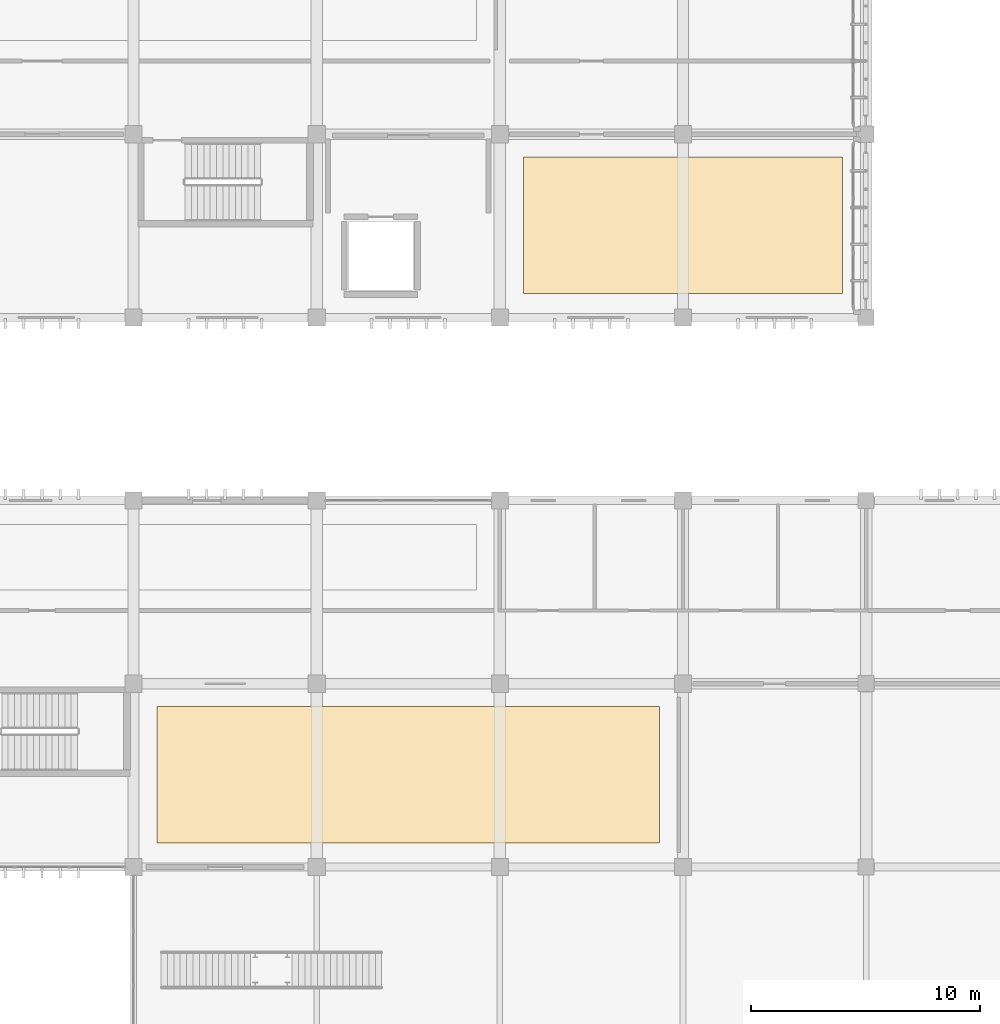
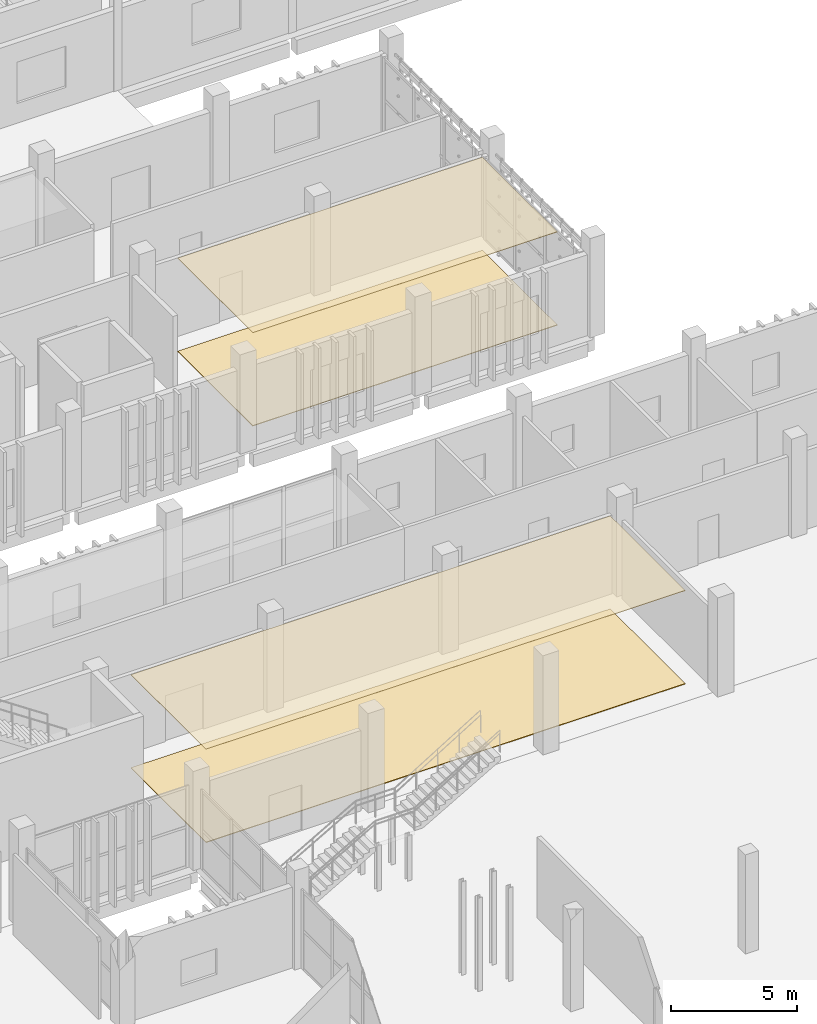
# One storey, part 114 of 117: 4 coverings.
"""IFC4 building model written with IfcOpenShell, lengths in metres."""

from ifc_helpers import new_model, si_unit, direction, frame, origin, place, context, subcontext, project, spatial, polyline, outline, extrude, material, layer, layer_set, type_object, element, save


model = new_model("IFC4")

# Units and contexts
model_context = context("Model", 3, precision=1e-05, world=origin(), true_north=direction((0.0, 1.0)))
body_context = subcontext(model_context, "Body", "Model", "MODEL_VIEW")
ifc_project = project(units=[si_unit("LENGTHUNIT", "METRE"), si_unit("AREAUNIT", "SQUARE_METRE"), si_unit("VOLUMEUNIT", "CUBIC_METRE"), si_unit("PLANEANGLEUNIT", "RADIAN"), si_unit("MASSUNIT", "GRAM", prefix="KILO")], contexts=[model_context])

# Site, building, storey
site_placement = place(None, origin())
site = spatial("IfcSite", under=ifc_project, at=site_placement, CompositionType="ELEMENT")
building_placement = place(site_placement, origin())
building = spatial("IfcBuilding", under=site, at=building_placement, Name="Jelvoka-Kovrelna Polytechnic", CompositionType="ELEMENT")
storey_placement = place(building_placement, origin())
storey = spatial("IfcBuildingStorey", under=building, at=storey_placement, Name="L01", CompositionType="ELEMENT", Elevation=0.0)

# Coverings
ifc_material_1 = material(Name="Mineral fibre acoustic ceiling tile")
ifc_layer_1 = layer(ifc_material_1, 0.02490234375)
ifc_layer_set_1 = layer_set([ifc_layer_1], Name="Mineral fibre acoustic ceiling tile")
covering_type_1 = type_object("IfcCoveringType", Name="Covering_Acoustic_Ceiling_25", PredefinedType="CEILING", material=ifc_layer_set_1)
covering_1_placement = place(storey_placement, frame((0.0, 0.0, 4.510009765625)))
element("IfcCovering", 1, at=covering_1_placement, inside=storey, type_object=covering_type_1, Name="L01 acoustic ceiling 007", PredefinedType="CEILING", context=body_context, shape_type="SweptSolid", body=[
    extrude(outline(polyline([(161.030029296875, 33.050048828125), (182.969970703125, 33.050048828125), (182.969970703125, 39.0), (161.030029296875, 39.0), (161.030029296875, 33.050048828125)])), origin(), (0.0, 0.0, 1.0), 0.02490234375),
])
covering_2_placement = place(storey_placement, frame((0.0, 0.0, 4.510009765625)))
element("IfcCovering", 2, at=covering_2_placement, inside=storey, type_object=covering_type_1, Name="L01 acoustic ceiling 012", PredefinedType="CEILING", context=body_context, shape_type="SweptSolid", body=[
    extrude(outline(polyline([(177.030029296875, 57.050048828125), (190.969970703125, 57.050048828125), (190.969970703125, 63.0), (177.030029296875, 63.0), (177.030029296875, 57.050048828125)])), origin(), (0.0, 0.0, 1.0), 0.02490234375),
])
ifc_material_2 = material(Name="Polished epoxy terrazzo flooring")
ifc_layer_2 = layer(ifc_material_2, 0.030029296875)
ifc_layer_set_2 = layer_set([ifc_layer_2], Name="Polished epoxy terrazzo flooring")
covering_type_2 = type_object("IfcCoveringType", Name="Covering_Terrazzo_Floor_30", PredefinedType="FLOORING", material=ifc_layer_set_2)
covering_3_placement = place(storey_placement, origin())
element("IfcCovering", 3, at=covering_3_placement, inside=storey, type_object=covering_type_2, Name="L01 terrazzo floor finish 007", PredefinedType="FLOORING", context=body_context, shape_type="SweptSolid", body=[
    extrude(outline(polyline([(161.030029296875, 33.050048828125), (182.969970703125, 33.050048828125), (182.969970703125, 39.0), (161.030029296875, 39.0), (161.030029296875, 33.050048828125)])), origin(), (0.0, 0.0, 1.0), 0.030029296875),
])
covering_4_placement = place(storey_placement, origin())
element("IfcCovering", 4, at=covering_4_placement, inside=storey, type_object=covering_type_2, Name="L01 terrazzo floor finish 012", PredefinedType="FLOORING", context=body_context, shape_type="SweptSolid", body=[
    extrude(outline(polyline([(177.030029296875, 57.050048828125), (190.969970703125, 57.050048828125), (190.969970703125, 63.0), (177.030029296875, 63.0), (177.030029296875, 57.050048828125)])), origin(), (0.0, 0.0, 1.0), 0.030029296875),
])

save(model, "model.ifc")
